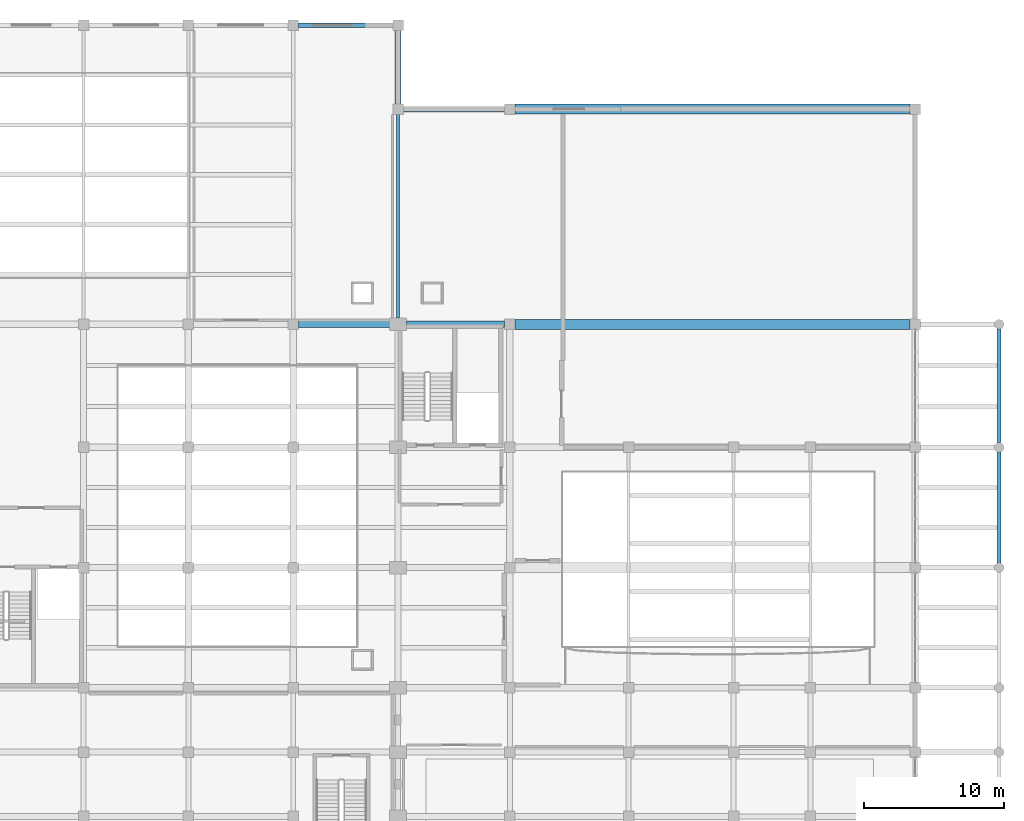
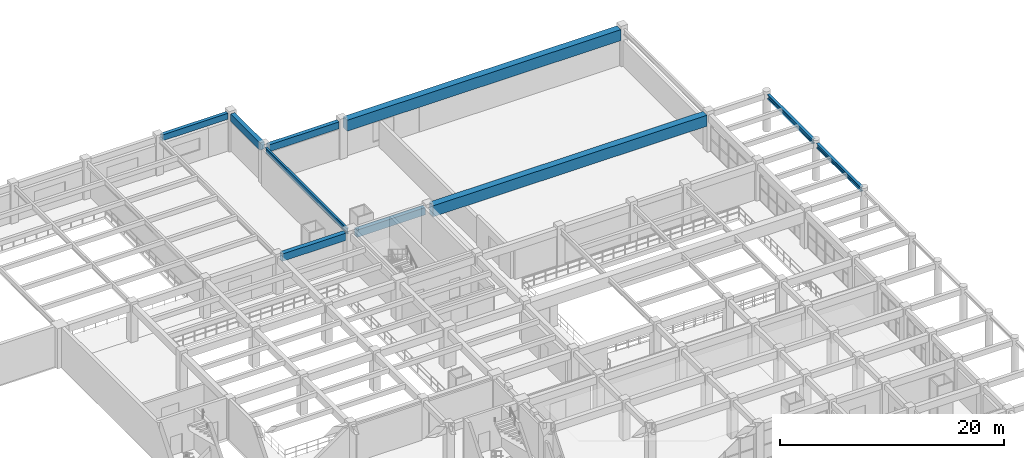
# One storey, part 82 of 116: 10 beams.
"""IFC4 building model written with IfcOpenShell, lengths in metres."""

from ifc_helpers import new_model, si_unit, direction, frame, origin, origin_2d, place, context, subcontext, project, spatial, rectangle, i_section, extrude, material, material_profile, profile_set, type_object, element, save


model = new_model("IFC4")

# Units and contexts
model_context = context("Model", 3, precision=1e-05, world=origin(), true_north=direction((0.0, 1.0)))
body_context = subcontext(model_context, "Body", "Model", "MODEL_VIEW")
ifc_project = project(units=[si_unit("LENGTHUNIT", "METRE"), si_unit("AREAUNIT", "SQUARE_METRE"), si_unit("VOLUMEUNIT", "CUBIC_METRE"), si_unit("PLANEANGLEUNIT", "RADIAN"), si_unit("MASSUNIT", "GRAM", prefix="KILO")], contexts=[model_context])

# Site, building, storey
site_placement = place(None, origin())
site = spatial("IfcSite", under=ifc_project, at=site_placement, CompositionType="ELEMENT")
building_placement = place(site_placement, origin())
building = spatial("IfcBuilding", under=site, at=building_placement, Name="Muzn Square Opera House", CompositionType="ELEMENT")
storey_placement = place(building_placement, frame((0.0, 0.0, 5.39990234375)))
storey = spatial("IfcBuildingStorey", under=building, at=storey_placement, Name="L01", CompositionType="ELEMENT", Elevation=5.39990234375)

# Beams
ifc_material_1 = material(Name="Concrete C40/50", Category="concrete")
ifc_material_profile_1 = material_profile(ifc_material_1, rectangle(XDim=0.449951171875, YDim=0.800048828125, at=origin_2d()), Name="RCB 450x800", Category="concrete")
ifc_profile_set_1 = profile_set([ifc_material_profile_1], Name="Concrete C40/50")
beam_type_1 = type_object("IfcBeamType", Name="Primary Girder 450x800", PredefinedType="BEAM", material=ifc_profile_set_1)
beam_1_placement = place(storey_placement, frame((125.866943359375, 98.60009765625, 3.72021484375), z_axis=(1.0, 0.0, 0.0), x_axis=(0.0, 1.0, 0.0)))
element("IfcBeam", 1, at=beam_1_placement, inside=storey, type_object=beam_type_1, Name="Primary Girder BM-L01-BM-PG800-1259_986_1324_986-1490", PredefinedType="BEAM", context=body_context, shape_type="SweptSolid", body=[
    extrude(rectangle(XDim=0.449951171875, YDim=0.800048828125, at=origin_2d()), origin(), (0.0, 0.0, 1.0), 6.541015625),
])
beam_2_placement = place(storey_placement, frame((133.592041015625, 98.60009765625, 3.64013671875), z_axis=(1.0, 0.0, 0.0), x_axis=(0.0, 1.0, 0.0)))
element("IfcBeam", 2, at=beam_2_placement, inside=storey, type_object=beam_type_1, Name="Primary Girder BM-L01-BM-PG800-1336_986_1406_986-1491", PredefinedType="BEAM", context=body_context, shape_type="SweptSolid", body=[
    extrude(rectangle(XDim=0.449951171875, YDim=0.800048828125, at=origin_2d()), origin(), (0.0, 0.0, 1.0), 7.041015625),
])
beam_3_placement = place(storey_placement, frame((133.0, 114.366943359375, 3.72021484375), z_axis=(0.0, 1.0, 0.0), x_axis=(-1.0, 0.0, 0.0)))
element("IfcBeam", 3, at=beam_3_placement, inside=storey, type_object=beam_type_1, Name="Primary Girder BM-N114-L01-015", PredefinedType="BEAM", context=body_context, shape_type="SweptSolid", body=[
    extrude(rectangle(XDim=0.449951171875, YDim=0.800048828125, at=origin_2d()), origin(), (0.0, 0.0, 1.0), 5.26611328125),
])
ifc_material_profile_2 = material_profile(ifc_material_1, rectangle(XDim=0.699951171875, YDim=1.199951171875, at=origin_2d()), Name="RCB 700x1200", Category="concrete")
ifc_profile_set_2 = profile_set([ifc_material_profile_2], Name="Concrete C40/50")
beam_type_2 = type_object("IfcBeamType", Name="Primary Girder 700x1200", PredefinedType="BEAM", material=ifc_profile_set_2)
for number, where, z_axis, x_axis, name in (
    (4, (141.366943359375, 98.60009765625, 3.440185546875), (1.0, 0.0, 0.0), (0.0, 1.0, 0.0), "Primary Girder BM-L01-BM-PG1200-1414_986_1696_986-1492"),
    (5, (141.366943359375, 114.0, 3.440185546875), (1.0, 0.0, 0.0), (0.0, 1.0, 0.0), "Spandrel Beam BM-N114-L01-012"),
):
    element("IfcBeam", number, at=place(storey_placement, frame(where, z_axis=z_axis, x_axis=x_axis)), inside=storey, type_object=beam_type_2, Name=name, PredefinedType="BEAM", context=body_context, shape_type="SweptSolid", body=[
        extrude(rectangle(XDim=0.699951171875, YDim=1.199951171875, at=origin_2d()), origin(), (0.0, 0.0, 1.0), 28.26611328125),
    ])
ifc_material_profile_3 = material_profile(ifc_material_1, rectangle(XDim=0.35009765625, YDim=0.64990234375, at=origin_2d()), Name="RCS 350x650", Category="concrete")
ifc_profile_set_3 = profile_set([ifc_material_profile_3], Name="Concrete C40/50")
beam_type_3 = type_object("IfcBeamType", Name="Spandrel Beam 350x650", PredefinedType="SPANDREL", material=ifc_profile_set_3)
beam_4_placement = place(storey_placement, frame((125.866943359375, 120.0, 3.795166015625), z_axis=(1.0, 0.0, 0.0), x_axis=(0.0, 1.0, 0.0)))
element("IfcBeam", 6, at=beam_4_placement, inside=storey, type_object=beam_type_3, Name="Spandrel Beam BM-L01-BM-SP650-1259_1200_1326_1200-1507", PredefinedType="SPANDREL", context=body_context, shape_type="SweptSolid", body=[
    extrude(rectangle(XDim=0.35009765625, YDim=0.64990234375, at=origin_2d()), origin(), (0.0, 0.0, 1.0), 6.76611328125),
])
ifc_material_profile_4 = material_profile(ifc_material_1, rectangle(XDim=0.39990234375, YDim=0.75, at=origin_2d()), Name="RCS 400x750", Category="concrete")
ifc_profile_set_4 = profile_set([ifc_material_profile_4], Name="Concrete C40/50")
beam_type_4 = type_object("IfcBeamType", Name="Spandrel Beam 400x750", PredefinedType="SPANDREL", material=ifc_profile_set_4)
beam_5_placement = place(storey_placement, frame((133.366943359375, 114.0, 3.6650390625), z_axis=(1.0, 0.0, 0.0), x_axis=(0.0, 1.0, 0.0)))
element("IfcBeam", 7, at=beam_5_placement, inside=storey, type_object=beam_type_4, Name="Spandrel Beam BM-N114-L01-011", PredefinedType="SPANDREL", context=body_context, shape_type="SweptSolid", body=[
    extrude(rectangle(XDim=0.39990234375, YDim=0.75, at=origin_2d()), origin(), (0.0, 0.0, 1.0), 7.26611328125),
])
ifc_material_2 = material(Name="Steel S355", Category="steel")
ifc_material_profile_5 = material_profile(ifc_material_2, i_section(OverallWidth=0.219970703125, OverallDepth=0.60009765625, WebThickness=0.011962890625, FlangeThickness=0.01904296875, FilletRadius=0.02392578125, at=origin_2d()), Name="IPE 600", Category="steel")
ifc_profile_set_5 = profile_set([ifc_material_profile_5], Name="Steel S355")
beam_type_5 = type_object("IfcBeamType", Name="Stage Gallery Beam IPE600", PredefinedType="BEAM", material=ifc_profile_set_5)
beam_6_placement = place(storey_placement, frame((133.0, 99.0419921875, 3.739990234375), z_axis=(0.0, 1.0, 0.0), x_axis=(-1.0, 0.0, 0.0)))
element("IfcBeam", 8, at=beam_6_placement, inside=storey, type_object=beam_type_5, Name="Primary Girder BM-N114-L01-013", PredefinedType="BEAM", context=body_context, shape_type="SweptSolid", body=[
    extrude(i_section(OverallWidth=0.219970703125, OverallDepth=0.60009765625, WebThickness=0.011962890625, FlangeThickness=0.01904296875, FilletRadius=0.02392578125, at=origin_2d()), origin(), (0.0, 0.0, 1.0), 14.591064453125),
])
ifc_material_profile_6 = material_profile(ifc_material_2, i_section(OverallWidth=0.300048828125, OverallDepth=0.489990234375, WebThickness=0.011962890625, FlangeThickness=0.02294921875, FilletRadius=0.027099609375, at=origin_2d()), Name="HEA 500", Category="steel")
ifc_profile_set_6 = profile_set([ifc_material_profile_6], Name="Steel S355")
beam_type_6 = type_object("IfcBeamType", Name="Steel Spandrel Beam HEA500", PredefinedType="SPANDREL", material=ifc_profile_set_6)
beam_7_placement = place(storey_placement, frame((176.0, 81.5419921875, 3.875), z_axis=(0.0, 1.0, 0.0), x_axis=(-1.0, 0.0, 0.0)))
element("IfcBeam", 9, at=beam_7_placement, inside=storey, type_object=beam_type_6, Name="Spandrel Beam BM-L01-BM-SSP500-1760_815_1760_895-1797", PredefinedType="SPANDREL", context=body_context, shape_type="SweptSolid", body=[
    extrude(i_section(OverallWidth=0.300048828125, OverallDepth=0.489990234375, WebThickness=0.011962890625, FlangeThickness=0.02294921875, FilletRadius=0.027099609375, at=origin_2d()), origin(), (0.0, 0.0, 1.0), 7.916015625),
])
beam_8_placement = place(storey_placement, frame((176.0, 90.14208984375, 3.875), z_axis=(0.0, 1.0, 0.0), x_axis=(-1.0, 0.0, 0.0)))
element("IfcBeam", 10, at=beam_8_placement, inside=storey, type_object=beam_type_6, Name="Spandrel Beam BM-L01-BM-SSP500-1760_901_1760_983-1798", PredefinedType="SPANDREL", context=body_context, shape_type="SweptSolid", body=[
    extrude(i_section(OverallWidth=0.300048828125, OverallDepth=0.489990234375, WebThickness=0.011962890625, FlangeThickness=0.02294921875, FilletRadius=0.027099609375, at=origin_2d()), origin(), (0.0, 0.0, 1.0), 8.115966796875),
])

save(model, "model.ifc")
